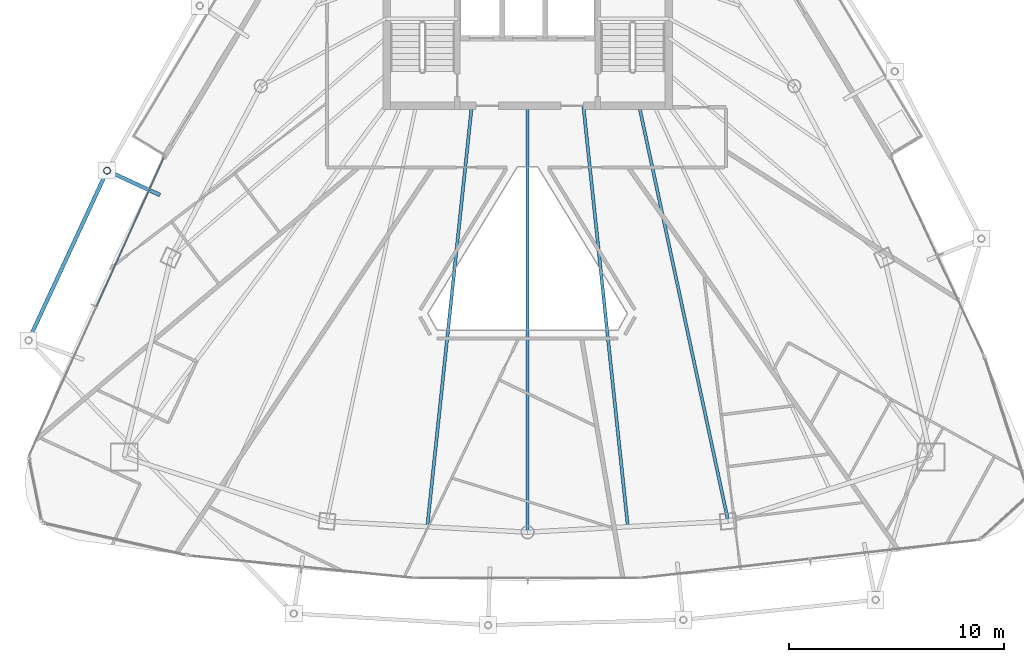
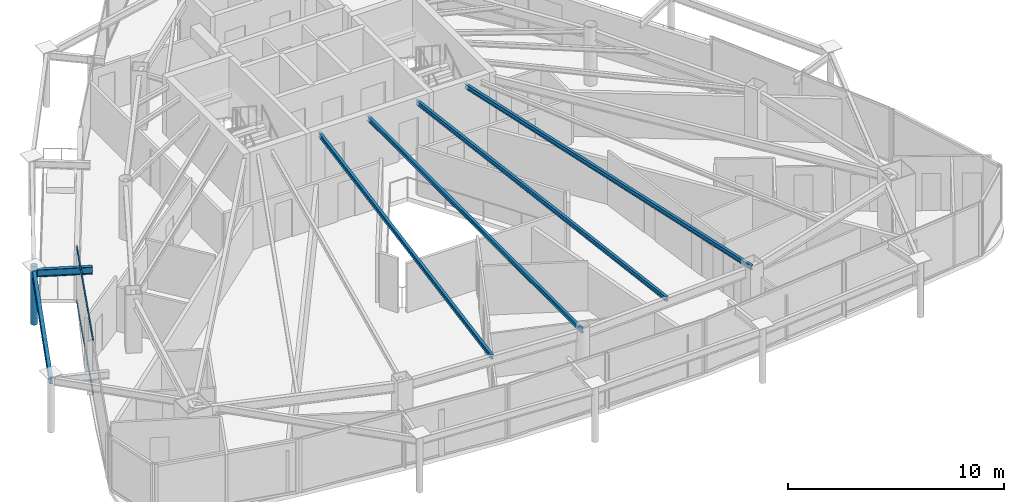
# One storey, part 10 of 33: 6 beams, 3 members, 1 element without a shape of its own.
"""IFC4 building model written with IfcOpenShell, lengths in metres."""

from ifc_helpers import new_model, si_unit, direction, frame, origin, origin_2d, place, context, subcontext, project, spatial, hollow_rectangle, hollow_circle, i_section, extrude, material, layer, layer_set, material_profile, profile_set, type_object, element, aggregate, save


model = new_model("IFC4")

# Units and contexts
model_context = context("Model", 3, precision=1e-05, world=origin(), true_north=direction((0.0, 1.0)))
body_context = subcontext(model_context, "Body", "Model", "MODEL_VIEW")
ifc_project = project(units=[si_unit("LENGTHUNIT", "METRE"), si_unit("AREAUNIT", "SQUARE_METRE"), si_unit("VOLUMEUNIT", "CUBIC_METRE"), si_unit("PLANEANGLEUNIT", "RADIAN"), si_unit("MASSUNIT", "GRAM", prefix="KILO")], contexts=[model_context])

# Site, building, storey
site_placement = place(None, origin())
site = spatial("IfcSite", under=ifc_project, at=site_placement, CompositionType="ELEMENT")
building_placement = place(site_placement, origin())
building = spatial("IfcBuilding", under=site, at=building_placement, Name="Orvanel Arch Residences", CompositionType="ELEMENT")
storey_placement = place(building_placement, frame((0.0, 0.0, 212.89990234375)))
storey = spatial("IfcBuildingStorey", under=building, at=storey_placement, Name="L60", CompositionType="ELEMENT", Elevation=212.89990234375)

# Beams
ifc_material_1 = material(Name="Structural steel AS/NZS 3679.1 Grade 300 (300 MPa)", Category="steel")
ifc_material_profile_1 = material_profile(ifc_material_1, i_section(OverallWidth=0.14599609375, OverallDepth=0.251953125, WebThickness=0.006103515625, FlangeThickness=0.008544921875, at=origin_2d()), Name="250UB31.4")
ifc_profile_set_1 = profile_set([ifc_material_profile_1], Name="Structural steel AS/NZS 3679.1 Grade 300 (300 MPa)")
beam_type_1 = type_object("IfcBeamType", Name="BJ-250UB", PredefinedType="JOIST", material=ifc_profile_set_1)
beam_1_placement = place(storey_placement, frame((38.199951171875, 26.72509765625, 2.93408203125), z_axis=(0.209547604985, -0.977798446125, 0.0), x_axis=(0.977798446125, 0.209547604985, 0.0)))
element("IfcBeam", 1, at=beam_1_placement, inside=storey, type_object=beam_type_1, Name="L60 SE Wing Floor Joist", PredefinedType="JOIST", context=body_context, shape_type="SweptSolid", body=[
    extrude(i_section(OverallWidth=0.14599609375, OverallDepth=0.251953125, WebThickness=0.006103515625, FlangeThickness=0.008544921875, at=origin_2d()), origin(), (0.0, 0.0, 1.0), 19.809814453125),
])
beam_2_placement = place(storey_placement, frame((33.0, 26.72509765625, 2.93408203125), z_axis=(0.0, -1.0, 0.0), x_axis=(1.0, 0.0, 0.0)))
element("IfcBeam", 2, at=beam_2_placement, inside=storey, type_object=beam_type_1, Name="L60 SSW Wing Floor Joist", PredefinedType="JOIST", context=body_context, shape_type="SweptSolid", body=[
    extrude(i_section(OverallWidth=0.14599609375, OverallDepth=0.251953125, WebThickness=0.006103515625, FlangeThickness=0.008544921875, at=origin_2d()), origin(), (0.0, 0.0, 1.0), 19.881103515625),
])
for number, where, z_axis, x_axis, name in (
    (3, (30.39990234375, 26.72509765625, 2.93408203125), (-0.105143936131, -0.994457014, 0.0), (0.994457014, -0.105143936131, 0.0), "L60 WSW2 Wing Floor Joist"),
    (4, (35.60009765625, 26.72509765625, 2.93408203125), (0.105143936131, -0.994457014, 0.0), (0.994457014, 0.105143936131, 0.0), "L60 ESE2 Wing Floor Joist"),
):
    element("IfcBeam", number, at=place(storey_placement, frame(where, z_axis=z_axis, x_axis=x_axis)), inside=storey, type_object=beam_type_1, Name=name, PredefinedType="JOIST", context=body_context, shape_type="SweptSolid", body=[
        extrude(i_section(OverallWidth=0.14599609375, OverallDepth=0.251953125, WebThickness=0.006103515625, FlangeThickness=0.008544921875, at=origin_2d()), origin(), (0.0, 0.0, 1.0), 19.734375),
    ])
ifc_material_profile_2 = material_profile(ifc_material_1, i_section(OverallWidth=0.177978515625, OverallDepth=0.406005859375, WebThickness=0.0078125, FlangeThickness=0.0126953125, at=origin_2d()), Name="410UB59.7")
ifc_profile_set_2 = profile_set([ifc_material_profile_2], Name="Structural steel AS/NZS 3679.1 Grade 300 (300 MPa)")
beam_type_2 = type_object("IfcBeamType", Name="OB-410UB-EXT", PredefinedType="SPANDREL", material=ifc_profile_set_2)
beam_3_placement = place(storey_placement, frame((15.863037109375, 22.56201171875, 2.857177734375), z_axis=(-0.90821478547, 0.418504364917, 0.0), x_axis=(-0.418504364917, -0.90821478547, 0.0)))
element("IfcBeam", 5, at=beam_3_placement, inside=storey, type_object=beam_type_2, Name="L60 Outer Frame Radial Tie Beam 03", PredefinedType="SPANDREL", context=body_context, shape_type="SweptSolid", body=[
    extrude(i_section(OverallWidth=0.177978515625, OverallDepth=0.406005859375, WebThickness=0.0078125, FlangeThickness=0.0126953125, at=origin_2d()), origin(), (0.0, 0.0, 1.0), 2.712158203125),
])
beam_4_placement = place(storey_placement, frame((13.39990234375, 23.697021484375, 2.857177734375), z_axis=(-0.419830567952, -0.907602497911, 0.0), x_axis=(0.907602497911, -0.419830567952, 0.0)))
element("IfcBeam", 6, at=beam_4_placement, inside=storey, type_object=beam_type_2, Name="L60 Outer Perimeter Floor Ring Beam 03", PredefinedType="SPANDREL", context=body_context, shape_type="SweptSolid", body=[
    extrude(i_section(OverallWidth=0.177978515625, OverallDepth=0.406005859375, WebThickness=0.0078125, FlangeThickness=0.0126953125, at=origin_2d()), origin(), (0.0, 0.0, 1.0), 8.717529296875),
])

# Member
ifc_material_2 = material(Name="Structural steel AS/NZS 1163 C350L0 (Grade 350)", Category="steel")
ifc_material_profile_3 = material_profile(ifc_material_2, hollow_circle(Radius=0.162109375, WallThickness=0.0126953125, at=origin_2d()), Name="CHS324x12.7")
ifc_profile_set_3 = profile_set([ifc_material_profile_3], Name="Structural steel AS/NZS 1163 C350L0 (Grade 350)")
member_type_1 = type_object("IfcMemberType", Name="ST-324CHS-EXT", PredefinedType="STRUT", material=ifc_profile_set_3)
member_1_placement = place(storey_placement, frame((13.39990234375, 23.697021484375, 0.0), z_axis=(0.0, 0.0, 1.0), x_axis=(1.0, 0.0, 0.0)))
element("IfcMember", 7, at=member_1_placement, inside=storey, type_object=member_type_1, Name="L60 Outer Perimeter Frame Post 03", PredefinedType="STRUT", context=body_context, shape_type="SweptSolid", body=[
    extrude(hollow_circle(Radius=0.162109375, WallThickness=0.0126953125, at=origin_2d()), origin(), (0.0, 0.0, 1.0), 3.300048828125),
])

# Curtain wall, members
ifc_material_3 = material(Name="Bronze-anodised aluminium AA6063-T6", Category="aluminium")
ifc_layer = layer(ifc_material_3, 0.175048828125)
ifc_layer_set = layer_set([ifc_layer], Name="Bronze-anodised aluminium AA6063-T6")
curtain_wall_type = type_object("IfcCurtainWallType", Name="CW4-HI-SYS", PredefinedType="NOTDEFINED", material=ifc_layer_set)
curtain_wall_placement = place(storey_placement, origin())
curtain_wall = element("IfcCurtainWall", 8, at=curtain_wall_placement, inside=storey, type_object=curtain_wall_type, Name="L60 CW4-HI-SYS Unitised Curtain Wall", PredefinedType="NOTDEFINED")
ifc_material_profile_4 = material_profile(ifc_material_3, hollow_rectangle(XDim=0.06005859375, YDim=0.1201171875, WallThickness=0.00341796875, at=origin_2d()), Name="ALU120x60x3.5")
ifc_profile_set_4 = profile_set([ifc_material_profile_4], Name="Bronze-anodised aluminium AA6063-T6")
member_type_2 = type_object("IfcMemberType", Name="TRN-120x60", PredefinedType="USERDEFINED", material=ifc_profile_set_4)
member_2_placement = place(storey_placement, frame((16.033203125, 24.28173828125, 0.030029296875), z_axis=(-0.41152620451, -0.911397927912, 0.0), x_axis=(0.911397927912, -0.41152620451, 0.0)))
member_2 = element("IfcMember", 9, at=member_2_placement, type_object=member_type_2, Name="CW-S4 transom 1.1", ObjectType="TRANSOM", PredefinedType="USERDEFINED", context=body_context, shape_type="SweptSolid", body=[
    extrude(hollow_rectangle(XDim=0.06005859375, YDim=0.1201171875, WallThickness=0.00341796875, at=origin_2d()), origin(), (0.0, 0.0, 1.0), 7.56640625),
])
member_3_placement = place(storey_placement, frame((16.033203125, 24.28173828125, 3.030029296875), z_axis=(-0.41152620451, -0.911397927912, 0.0), x_axis=(0.911397927912, -0.41152620451, 0.0)))
member_3 = element("IfcMember", 10, at=member_3_placement, type_object=member_type_2, Name="CW-S4 transom 1.2", ObjectType="TRANSOM", PredefinedType="USERDEFINED", context=body_context, shape_type="SweptSolid", body=[
    extrude(hollow_rectangle(XDim=0.06005859375, YDim=0.1201171875, WallThickness=0.00341796875, at=origin_2d()), origin(), (0.0, 0.0, 1.0), 7.56640625),
])
aggregate(curtain_wall, [member_2, member_3])

save(model, "model.ifc")
